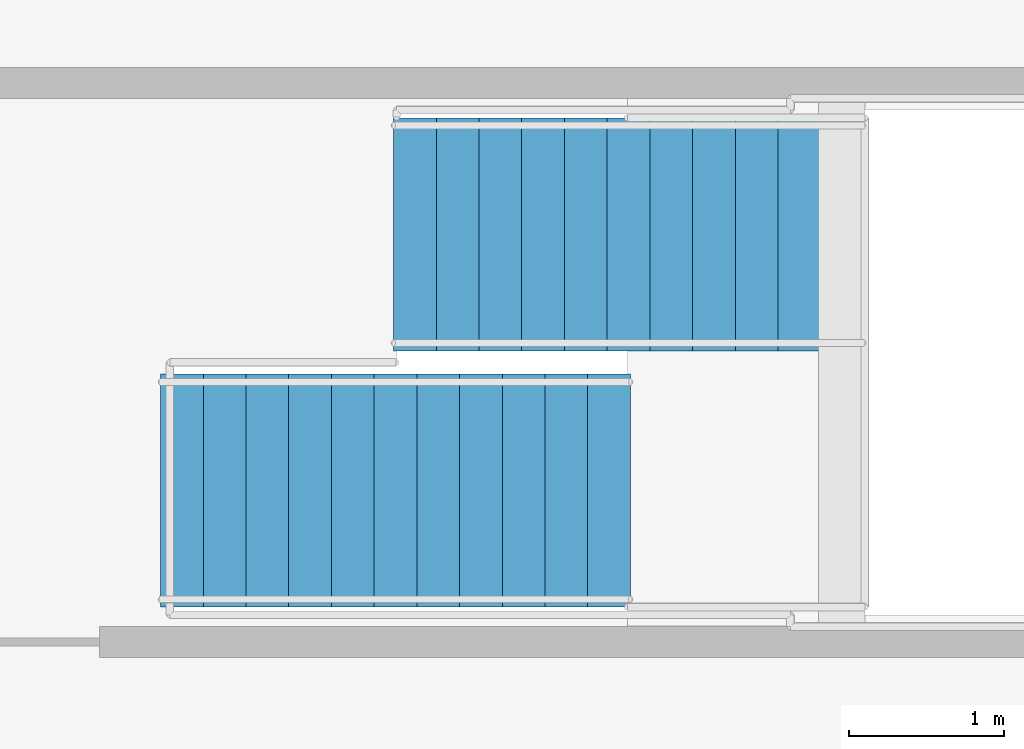
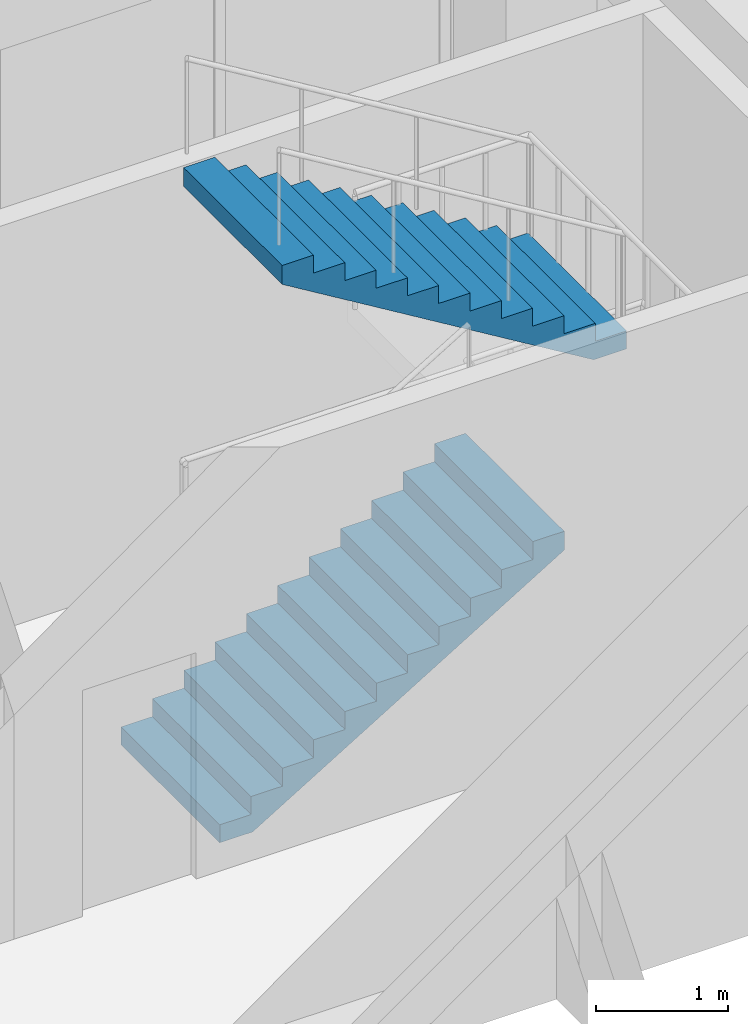
# One storey, part 59 of 66: 2 stair flights, 1 element without a shape of its own.
"""IFC4 building model written with IfcOpenShell, lengths in metres."""

from ifc_helpers import new_model, si_unit, direction, frame, origin, place, context, subcontext, project, spatial, polyline, outline, extrude, material, type_object, element, aggregate, save


model = new_model("IFC4")

# Units and contexts
model_context = context("Model", 3, precision=1e-05, world=origin(), true_north=direction((0.0, 1.0)))
body_context = subcontext(model_context, "Body", "Model", "MODEL_VIEW")
ifc_project = project(units=[si_unit("LENGTHUNIT", "METRE"), si_unit("AREAUNIT", "SQUARE_METRE"), si_unit("VOLUMEUNIT", "CUBIC_METRE"), si_unit("PLANEANGLEUNIT", "RADIAN"), si_unit("MASSUNIT", "GRAM", prefix="KILO")], contexts=[model_context])

# Site, building, storey
site_placement = place(None, origin())
site = spatial("IfcSite", under=ifc_project, at=site_placement, CompositionType="ELEMENT")
building_placement = place(site_placement, origin())
building = spatial("IfcBuilding", under=site, at=building_placement, Name="Tuart Plaza Theatre", CompositionType="ELEMENT")
storey_placement = place(building_placement, frame((0.0, 0.0, 5.5)))
storey = spatial("IfcBuildingStorey", under=building, at=storey_placement, Name="L01", CompositionType="ELEMENT", Elevation=5.5)

# Stair, stair flights
ifc_material_1 = material(Name="Concrete N40 (40 MPa)", Category="concrete")
stair_type = type_object("IfcStairType", Name="STAIR half turn 1500", PredefinedType="HALF_TURN_STAIR", material=ifc_material_1)
stair_placement = place(storey_placement, origin())
stair = element("IfcStair", 1, at=stair_placement, inside=storey, type_object=stair_type, Name="SC-8", PredefinedType="HALF_TURN_STAIR")
ifc_material_2 = material(Name="Concrete N40 (40 MPa)", Category="concrete")
stair_flight_type = type_object("IfcStairFlightType", Name="STAIR FLIGHT 166.7 275 1500", PredefinedType="STRAIGHT", material=ifc_material_2)
stair_flight_1_placement = place(storey_placement, frame((134.594970703125, 86.300048828125, 0.0), z_axis=(0.0, 0.0, 1.0), x_axis=(1.0, 0.0, 0.0)))
stair_flight_1 = element("IfcStairFlight", 2, at=stair_flight_1_placement, type_object=stair_flight_type, Name="SC-8 flight 1", NumberOfRisers=12, NumberOfTreads=11, PredefinedType="STRAIGHT", RiserHeight=0.166666667, TreadLength=0.275, context=body_context, shape_type="SweptSolid", body=[
    extrude(outline(polyline([(0.0, 0.0), (0.0, 0.166748046875), (0.27490234375, 0.166748046875), (0.27490234375, 0.333251953125), (0.550048828125, 0.333251953125), (0.550048828125, 0.5), (0.824951171875, 0.5), (0.824951171875, 0.666748046875), (1.10009765625, 0.666748046875), (1.10009765625, 0.833251953125), (1.375, 0.833251953125), (1.375, 1.0), (1.64990234375, 1.0), (1.64990234375, 1.166748046875), (1.925048828125, 1.166748046875), (1.925048828125, 1.333251953125), (2.199951171875, 1.333251953125), (2.199951171875, 1.5), (2.47509765625, 1.5), (2.47509765625, 1.666748046875), (2.75, 1.666748046875), (2.75, 1.833251953125), (3.02490234375, 1.833251953125), (3.02490234375, 2.0), (3.02490234375, 1.657958984375), (0.289306640625, 0.0), (0.0, 0.0)])), frame((0.0, 0.75, 0.0), z_axis=(0.0, -1.0, 0.0), x_axis=(1.0, 0.0, 0.0)), (0.0, 0.0, 1.0), 1.5),
])
stair_flight_2_placement = place(storey_placement, frame((139.1201171875, 87.949951171875, 2.0), z_axis=(0.0, 0.0, 1.0), x_axis=(-1.0, 0.0, 0.0)))
stair_flight_2 = element("IfcStairFlight", 3, at=stair_flight_2_placement, type_object=stair_flight_type, Name="SC-8 flight 2", NumberOfRisers=12, NumberOfTreads=11, PredefinedType="STRAIGHT", RiserHeight=0.166666667, TreadLength=0.275, context=body_context, shape_type="SweptSolid", body=[
    extrude(outline(polyline([(0.0, 0.0), (0.0, 0.166748046875), (0.27490234375, 0.166748046875), (0.27490234375, 0.333251953125), (0.550048828125, 0.333251953125), (0.550048828125, 0.5), (0.824951171875, 0.5), (0.824951171875, 0.666748046875), (1.10009765625, 0.666748046875), (1.10009765625, 0.833251953125), (1.375, 0.833251953125), (1.375, 1.0), (1.64990234375, 1.0), (1.64990234375, 1.166748046875), (1.925048828125, 1.166748046875), (1.925048828125, 1.333251953125), (2.199951171875, 1.333251953125), (2.199951171875, 1.5), (2.47509765625, 1.5), (2.47509765625, 1.666748046875), (2.75, 1.666748046875), (2.75, 1.833251953125), (3.02490234375, 1.833251953125), (3.02490234375, 2.0), (3.02490234375, 1.657958984375), (0.289306640625, 0.0), (0.0, 0.0)])), frame((0.0, 0.75, 0.0), z_axis=(0.0, -1.0, 0.0), x_axis=(1.0, 0.0, 0.0)), (0.0, 0.0, 1.0), 1.5),
])
aggregate(stair, [stair_flight_1, stair_flight_2])

save(model, "model.ifc")
